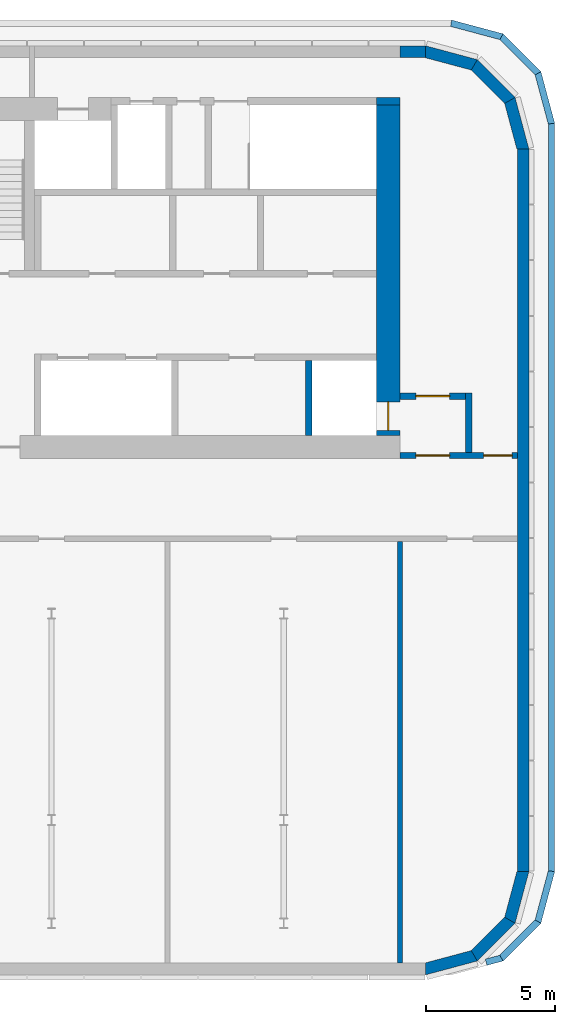
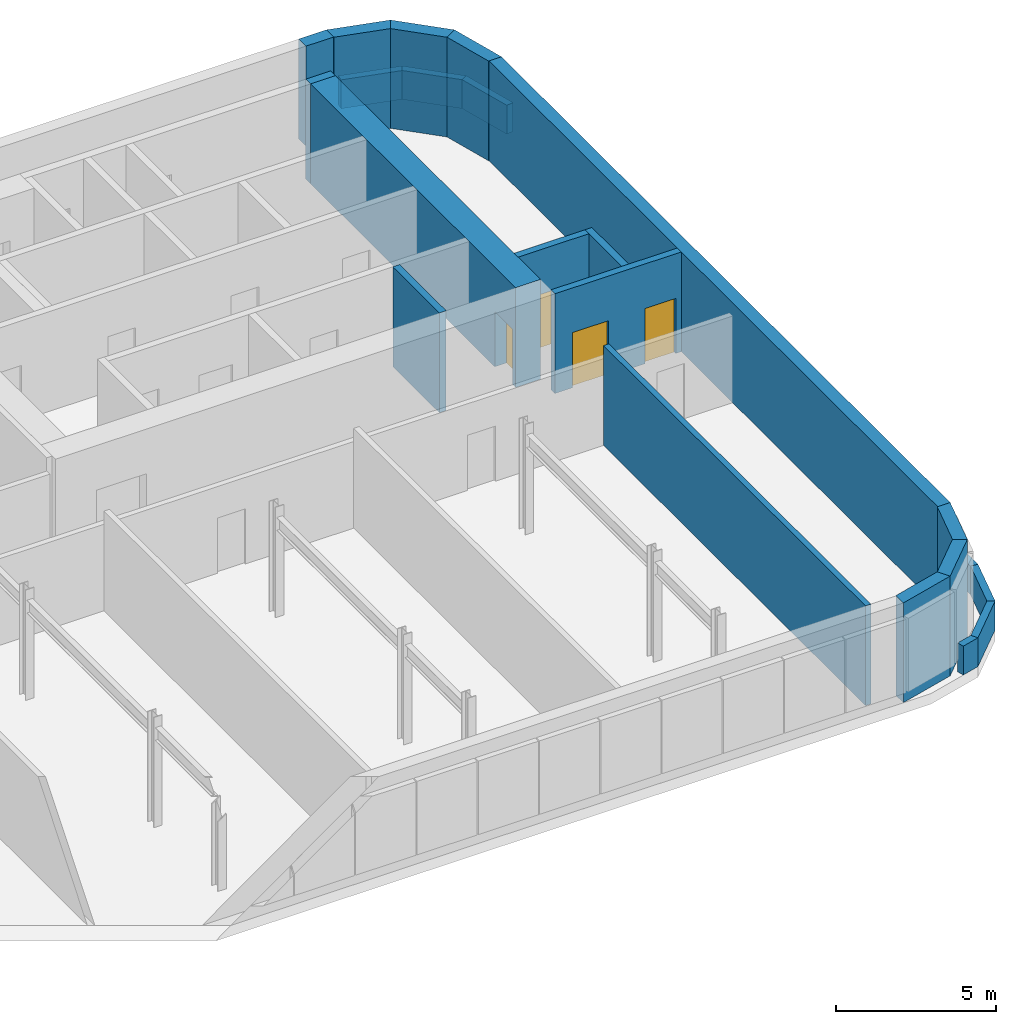
# One storey, part 7 of 10: 22 walls, 4 doors, 4 openings.
"""IFC4 building model written with IfcOpenShell, lengths in metres."""

from ifc_helpers import new_model, si_unit, direction, frame, frame_2d, origin, place, context, subcontext, project, spatial, polyline, rectangle, outline, extrude, material, layer, layer_set, type_object, element, fill, save


model = new_model("IFC4")

# Units and contexts
model_context = context("Model", 3, precision=1e-05, world=origin(), true_north=direction((0.0, 1.0)))
body_context = subcontext(model_context, "Body", "Model", "MODEL_VIEW")
ifc_project = project(units=[si_unit("LENGTHUNIT", "METRE"), si_unit("AREAUNIT", "SQUARE_METRE"), si_unit("VOLUMEUNIT", "CUBIC_METRE"), si_unit("PLANEANGLEUNIT", "RADIAN"), si_unit("MASSUNIT", "GRAM", prefix="KILO")], contexts=[model_context])

# Site, building, storey
site_placement = place(None, origin())
site = spatial("IfcSite", under=ifc_project, at=site_placement, CompositionType="ELEMENT")
building_placement = place(site_placement, origin())
building = spatial("IfcBuilding", under=site, at=building_placement, Name="Kajstack Hotel Tower", CompositionType="ELEMENT")
storey_placement = place(building_placement, frame((0.0, 0.0, 313.60009765625)))
storey = spatial("IfcBuildingStorey", under=building, at=storey_placement, Name="L79", CompositionType="ELEMENT", Elevation=313.60009765625)

# Wall
ifc_material_1 = material(Name="Concrete C60/75", Category="concrete")
ifc_layer_1 = layer(ifc_material_1, 0.89990234375)
ifc_layer_set_1 = layer_set([ifc_layer_1], Name="Core wall 900")
wall_type_1 = type_object("IfcWallType", Name="Core wall 900", PredefinedType="SHEAR", material=ifc_layer_set_1)
wall_1_placement = place(storey_placement, frame((30.60009765625, 15.35009765625, 0.0), z_axis=(0.0, 0.0, 1.0), x_axis=(1.0, 0.0, 0.0)))
element("IfcWall", 1, at=wall_1_placement, inside=storey, type_object=wall_type_1, Name="Core wall E RSW", PredefinedType="SHEAR", context=body_context, shape_type="SweptSolid", body=[
    extrude(rectangle(XDim=0.89990234375, YDim=0.300048828125, at=frame_2d((0.449951171875, 0.0))), origin(), (0.0, 0.0, 1.0), 3.7998046875),
])

# Wall, opening, door
wall_2_placement = place(storey_placement, frame((31.050048828125, 2.39990234375, 0.0), z_axis=(0.0, 0.0, 1.0), x_axis=(0.0, 1.0, 0.0)))
wall_2 = element("IfcWall", 2, at=wall_2_placement, inside=storey, type_object=wall_type_1, Name="Core wall E RW", PredefinedType="SHEAR", context=body_context, shape_type="SweptSolid", body=[
    extrude(rectangle(XDim=12.800048828125, YDim=0.89990234375, at=frame_2d((6.39990234375, 0.0))), origin(), (0.0, 0.0, 1.0), 3.7998046875),
])
opening_1_placement = place(wall_2_placement, frame((0.199951171875, 0.0, 0.0)))
opening_1 = element("IfcOpeningElement", 3, at=opening_1_placement, cuts=wall_2, Name="Opening LD-FF2", PredefinedType="OPENING", context=body_context, shape_type="SweptSolid", body=[
    extrude(rectangle(XDim=1.10009765625, YDim=2.10009765625, at=frame_2d((0.550048828125, 1.050048828125))), frame((0.0, 0.4599609375, 0.0), z_axis=(0.0, -1.0, 0.0), x_axis=(1.0, 0.0, 0.0)), (0.0, 0.0, 1.0), 0.919921875),
])
ifc_material_2 = material(Name="Stainless steel", Category="steel")
door_type_1 = type_object("IfcDoorType", Name="Fire-fighting lift landing door 1100", OperationType="SLIDING_TO_LEFT", PredefinedType="DOOR", material=ifc_material_2)
door_1_placement = place(opening_1_placement, origin())
door_1 = element("IfcDoor", 4, at=door_1_placement, inside=storey, type_object=door_type_1, Name="Landing door FF2", OperationType="SLIDING_TO_LEFT", OverallHeight=2.10009765625, OverallWidth=1.10009765625, PredefinedType="DOOR", context=body_context, shape_type="SweptSolid", body=[
    extrude(rectangle(XDim=1.10009765625, YDim=2.10009765625, at=frame_2d((0.550048828125, 1.050048828125))), frame((0.0, 0.02490234375, 0.0), z_axis=(0.0, -1.0, 0.0), x_axis=(1.0, 0.0, 0.0)), (0.0, 0.0, 1.0), 0.050048828125),
])
fill(opening_1, door_1)

# Walls
ifc_material_3 = material(Name="Zinc-clad block masonry", Category="masonry")
ifc_layer_2 = layer(ifc_material_3, 0.449951171875)
ifc_layer_set_2 = layer_set([ifc_layer_2], Name="EW-ZINC")
wall_type_2 = type_object("IfcWallType", Name="EW-ZINC", PredefinedType="SOLIDWALL", material=ifc_layer_set_2)
wall_3_placement = place(storey_placement, frame((32.441650390625, -18.28271484375, 0.0), z_axis=(0.0, 0.0, 1.0), x_axis=(0.965926999034, 0.25881466832, 0.0)))
element("IfcWall", 5, at=wall_3_placement, inside=storey, type_object=wall_type_2, Name="E-wall-L79-04-00", PredefinedType="SOLIDWALL", context=body_context, shape_type="SweptSolid", body=[
    extrude(outline(polyline([(0.000244140625, -0.22509765625), (2.070556640625, -0.224853515625), (1.9501953125, 0.22509765625), (0.12060546875, 0.22509765625), (0.000244140625, -0.22509765625)])), origin(), (0.0, 0.0, 1.0), 3.7998046875),
])
wall_4_placement = place(storey_placement, frame((34.3408203125, -17.804931640625, 0.0), z_axis=(0.0, 0.0, 1.0), x_axis=(0.707106781187, 0.707106781187, 0.0)))
element("IfcWall", 6, at=wall_4_placement, inside=storey, type_object=wall_type_2, Name="E-wall-L79-05-00", PredefinedType="SOLIDWALL", context=body_context, shape_type="SweptSolid", body=[
    extrude(outline(polyline([(0.0, -0.22509765625), (2.070556640625, -0.22509765625), (1.949951171875, 0.224853515625), (0.12060546875, 0.224853515625), (0.0, -0.22509765625)])), origin(), (0.0, 0.0, 1.0), 3.7998046875),
])
wall_5_placement = place(storey_placement, frame((35.746826171875, -16.441650390625, 0.0), z_axis=(0.0, 0.0, 1.0), x_axis=(0.25881466832, 0.965926999034, 0.0)))
element("IfcWall", 7, at=wall_5_placement, inside=storey, type_object=wall_type_2, Name="E-wall-L79-06-00", PredefinedType="SOLIDWALL", context=body_context, shape_type="SweptSolid", body=[
    extrude(outline(polyline([(-0.000244140625, -0.224853515625), (2.0703125, -0.22509765625), (1.949951171875, 0.22509765625), (0.120361328125, 0.22509765625), (-0.000244140625, -0.224853515625)])), origin(), (0.0, 0.0, 1.0), 3.7998046875),
])
wall_6_placement = place(storey_placement, frame((36.27490234375, -14.5, 0.0), z_axis=(0.0, 0.0, 1.0), x_axis=(0.0, 1.0, 0.0)))
element("IfcWall", 8, at=wall_6_placement, inside=storey, type_object=wall_type_2, Name="E-wall-L79-07-00", PredefinedType="SOLIDWALL", context=body_context, shape_type="SweptSolid", body=[
    extrude(rectangle(XDim=28.0, YDim=0.449951171875, at=frame_2d((14.0, 0.0))), origin(), (0.0, 0.0, 1.0), 3.7998046875),
])
wall_7_placement = place(storey_placement, frame((36.28271484375, 13.441650390625, 0.0), z_axis=(0.0, 0.0, 1.0), x_axis=(-0.25881466832, 0.965926999034, 0.0)))
element("IfcWall", 9, at=wall_7_placement, inside=storey, type_object=wall_type_2, Name="E-wall-L79-08-00", PredefinedType="SOLIDWALL", context=body_context, shape_type="SweptSolid", body=[
    extrude(outline(polyline([(0.000244140625, -0.22509765625), (2.070556640625, -0.224853515625), (1.9501953125, 0.22509765625), (0.12060546875, 0.22509765625), (0.000244140625, -0.22509765625)])), origin(), (0.0, 0.0, 1.0), 3.7998046875),
])
wall_8_placement = place(storey_placement, frame((35.804931640625, 15.3408203125, 0.0), z_axis=(0.0, 0.0, 1.0), x_axis=(-0.707106781187, 0.707106781187, 0.0)))
element("IfcWall", 10, at=wall_8_placement, inside=storey, type_object=wall_type_2, Name="E-wall-L79-09-00", PredefinedType="SOLIDWALL", context=body_context, shape_type="SweptSolid", body=[
    extrude(outline(polyline([(0.0, -0.22509765625), (2.070556640625, -0.22509765625), (1.949951171875, 0.224853515625), (0.12060546875, 0.224853515625), (0.0, -0.22509765625)])), origin(), (0.0, 0.0, 1.0), 3.7998046875),
])
wall_9_placement = place(storey_placement, frame((34.441650390625, 16.746826171875, 0.0), z_axis=(0.0, 0.0, 1.0), x_axis=(-0.965926999034, 0.25881466832, 0.0)))
element("IfcWall", 11, at=wall_9_placement, inside=storey, type_object=wall_type_2, Name="E-wall-L79-10-00", PredefinedType="SOLIDWALL", context=body_context, shape_type="SweptSolid", body=[
    extrude(outline(polyline([(-0.000244140625, -0.224853515625), (2.0703125, -0.22509765625), (1.949951171875, 0.22509765625), (0.120361328125, 0.22509765625), (-0.000244140625, -0.224853515625)])), origin(), (0.0, 0.0, 1.0), 3.7998046875),
])
wall_10_placement = place(storey_placement, frame((32.5, 17.27490234375, 0.0), z_axis=(0.0, 0.0, 1.0), x_axis=(-1.0, 0.0, 0.0)))
element("IfcWall", 12, at=wall_10_placement, inside=storey, type_object=wall_type_2, Name="E-wall-L79-11-00", PredefinedType="SOLIDWALL", context=body_context, shape_type="SweptSolid", body=[
    extrude(rectangle(XDim=1.0, YDim=0.449951171875, at=frame_2d((0.5, 0.0))), origin(), (0.0, 0.0, 1.0), 3.7998046875),
])
ifc_layer_3 = layer(ifc_material_3, 0.25)
ifc_layer_set_3 = layer_set([ifc_layer_3], Name="PARAPET-ZINC")
wall_type_3 = type_object("IfcWallType", Name="PARAPET-ZINC", PredefinedType="PARAPET", material=ifc_layer_set_3)
wall_11_placement = place(storey_placement, origin())
element("IfcWall", 13, at=wall_11_placement, inside=storey, type_object=wall_type_3, Name="Parapet L79-01-01-09", PredefinedType="PARAPET", context=body_context, shape_type="SweptSolid", body=[
    extrude(outline(polyline([(33.5, 18.5), (33.467041015625, 18.25), (35.37060546875, 17.739990234375), (35.5, 17.964111328125), (33.5, 18.5)])), origin(), (0.0, 0.0, 1.0), 1.099853515625),
])
wall_12_placement = place(storey_placement, origin())
element("IfcWall", 14, at=wall_12_placement, inside=storey, type_object=wall_type_3, Name="Parapet L79-01-01-10", PredefinedType="PARAPET", context=body_context, shape_type="SweptSolid", body=[
    extrude(outline(polyline([(35.5, 17.964111328125), (35.37060546875, 17.739990234375), (36.739990234375, 16.37060546875), (36.964111328125, 16.5), (35.5, 17.964111328125)])), origin(), (0.0, 0.0, 1.0), 1.099853515625),
])
wall_13_placement = place(storey_placement, origin())
element("IfcWall", 15, at=wall_13_placement, inside=storey, type_object=wall_type_3, Name="Parapet L79-01-01-11", PredefinedType="PARAPET", context=body_context, shape_type="SweptSolid", body=[
    extrude(outline(polyline([(36.964111328125, 16.5), (36.739990234375, 16.37060546875), (37.25, 14.467041015625), (37.5, 14.5), (36.964111328125, 16.5)])), origin(), (0.0, 0.0, 1.0), 1.099853515625),
])
wall_14_placement = place(storey_placement, origin())
element("IfcWall", 16, at=wall_14_placement, inside=storey, type_object=wall_type_3, Name="Parapet L79-01-01-12", PredefinedType="PARAPET", context=body_context, shape_type="SweptSolid", body=[
    extrude(outline(polyline([(37.5, 14.5), (37.25, 14.467041015625), (37.25, -14.467041015625), (37.5, -14.5), (37.5, 14.5)])), origin(), (0.0, 0.0, 1.0), 1.099853515625),
])
wall_15_placement = place(storey_placement, origin())
element("IfcWall", 17, at=wall_15_placement, inside=storey, type_object=wall_type_3, Name="Parapet L79-01-01-13", PredefinedType="PARAPET", context=body_context, shape_type="SweptSolid", body=[
    extrude(outline(polyline([(37.5, -14.5), (37.25, -14.467041015625), (36.739990234375, -16.37060546875), (36.964111328125, -16.5), (37.5, -14.5)])), origin(), (0.0, 0.0, 1.0), 1.099853515625),
])
wall_16_placement = place(storey_placement, origin())
element("IfcWall", 18, at=wall_16_placement, inside=storey, type_object=wall_type_3, Name="Parapet L79-01-01-14", PredefinedType="PARAPET", context=body_context, shape_type="SweptSolid", body=[
    extrude(outline(polyline([(36.964111328125, -16.5), (36.739990234375, -16.37060546875), (35.37060546875, -17.739990234375), (35.5, -17.964111328125), (36.964111328125, -16.5)])), origin(), (0.0, 0.0, 1.0), 1.099853515625),
])
wall_17_placement = place(storey_placement, origin())
element("IfcWall", 19, at=wall_17_placement, inside=storey, type_object=wall_type_3, Name="Parapet L79-01-01-15", PredefinedType="PARAPET", context=body_context, shape_type="SweptSolid", body=[
    extrude(outline(polyline([(35.5, -17.964111328125), (35.37060546875, -17.739990234375), (34.8095703125, -17.890380859375), (34.874267578125, -18.1318359375), (35.5, -17.964111328125)])), origin(), (0.0, 0.0, 1.0), 1.099853515625),
])
ifc_material_4 = material(Name="Gypsum board on steel studs, mineral wool", Category="steel")
ifc_layer_4 = layer(ifc_material_4, 0.199951171875)
ifc_layer_set_4 = layer_set([ifc_layer_4], Name="Public partition 200")
wall_type_4 = type_object("IfcWallType", Name="Public partition 200", PredefinedType="PARTITIONING", material=ifc_layer_set_4)
wall_18_placement = place(storey_placement, frame((31.5, -18.050048828125, 0.0), z_axis=(0.0, 0.0, 1.0), x_axis=(0.0, 1.0, 0.0)))
element("IfcWall", 20, at=wall_18_placement, inside=storey, type_object=wall_type_4, Name="Partition SPX3", PredefinedType="PARTITIONING", context=body_context, shape_type="SweptSolid", body=[
    extrude(rectangle(XDim=16.35009765625, YDim=0.199951171875, at=frame_2d((8.175048828125, 0.0))), origin(), (0.0, 0.0, 1.0), 3.7998046875),
])

# Wall, openings, doors
ifc_layer_5 = layer(ifc_material_4, 0.199951171875)
ifc_layer_set_5 = layer_set([ifc_layer_5], Name="Service partition 200")
wall_type_5 = type_object("IfcWallType", Name="Service partition 200", PredefinedType="PARTITIONING", material=ifc_layer_set_5)
wall_19_placement = place(storey_placement, frame((31.5, 1.625, 0.0), z_axis=(0.0, 0.0, 1.0), x_axis=(1.0, 0.0, 0.0)))
wall_19 = element("IfcWall", 21, at=wall_19_placement, inside=storey, type_object=wall_type_5, Name="Partition E SN", PredefinedType="PARTITIONING", context=body_context, shape_type="SweptSolid", body=[
    extrude(rectangle(XDim=4.550048828125, YDim=0.25, at=frame_2d((2.27490234375, 0.0))), origin(), (0.0, 0.0, 1.0), 3.7998046875),
])
opening_2_placement = place(wall_19_placement, frame((0.625, 0.0, 0.0)))
opening_2 = element("IfcOpeningElement", 22, at=opening_2_placement, cuts=wall_19, Name="Opening 79E07", PredefinedType="OPENING", context=body_context, shape_type="SweptSolid", body=[
    extrude(rectangle(XDim=1.300048828125, YDim=2.10009765625, at=frame_2d((0.64990234375, 1.050048828125))), frame((0.0, 0.135009765625, 0.0), z_axis=(0.0, -1.0, 0.0), x_axis=(1.0, 0.0, 0.0)), (0.0, 0.0, 1.0), 0.27001953125),
])
opening_3_placement = place(wall_19_placement, frame((3.25, 0.0, 0.0)))
opening_3 = element("IfcOpeningElement", 23, at=opening_3_placement, cuts=wall_19, Name="Opening 79E09", PredefinedType="OPENING", context=body_context, shape_type="SweptSolid", body=[
    extrude(rectangle(XDim=1.10009765625, YDim=2.10009765625, at=frame_2d((0.550048828125, 1.050048828125))), frame((0.0, 0.135009765625, 0.0), z_axis=(0.0, -1.0, 0.0), x_axis=(1.0, 0.0, 0.0)), (0.0, 0.0, 1.0), 0.27001953125),
])
ifc_material_5 = material(Name="Steel leaf, fire-rated", Category="steel")
door_type_2 = type_object("IfcDoorType", Name="Fire lobby door 1300", OperationType="SINGLE_SWING_LEFT", PredefinedType="DOOR", material=ifc_material_5)
door_2_placement = place(opening_2_placement, origin())
door_2 = element("IfcDoor", 24, at=door_2_placement, inside=storey, type_object=door_type_2, Name="Door 79E07", OperationType="SINGLE_SWING_LEFT", OverallHeight=2.10009765625, OverallWidth=1.300048828125, PredefinedType="DOOR", context=body_context, shape_type="SweptSolid", body=[
    extrude(rectangle(XDim=1.300048828125, YDim=2.10009765625, at=frame_2d((0.64990234375, 1.050048828125))), frame((0.0, 0.02490234375, 0.0), z_axis=(0.0, -1.0, 0.0), x_axis=(1.0, 0.0, 0.0)), (0.0, 0.0, 1.0), 0.050048828125),
])
fill(opening_2, door_2)
ifc_material_6 = material(Name="Timber leaf, fire-rated", Category="wood")
door_type_3 = type_object("IfcDoorType", Name="Service corridor door 1100", OperationType="SINGLE_SWING_LEFT", PredefinedType="DOOR", material=ifc_material_6)
door_3_placement = place(opening_3_placement, origin())
door_3 = element("IfcDoor", 25, at=door_3_placement, inside=storey, type_object=door_type_3, Name="Door 79E09", OperationType="SINGLE_SWING_LEFT", OverallHeight=2.10009765625, OverallWidth=1.10009765625, PredefinedType="DOOR", context=body_context, shape_type="SweptSolid", body=[
    extrude(rectangle(XDim=1.10009765625, YDim=2.10009765625, at=frame_2d((0.550048828125, 1.050048828125))), frame((0.0, 0.02490234375, 0.0), z_axis=(0.0, -1.0, 0.0), x_axis=(1.0, 0.0, 0.0)), (0.0, 0.0, 1.0), 0.050048828125),
])
fill(opening_3, door_3)

# Wall
ifc_material_7 = material(Name="Concrete C50/60", Category="concrete")
ifc_layer_6 = layer(ifc_material_7, 0.25)
ifc_layer_set_6 = layer_set([ifc_layer_6], Name="Shaft wall 250")
wall_type_6 = type_object("IfcWallType", Name="Shaft wall 250", PredefinedType="SHEAR", material=ifc_layer_set_6)
wall_20_placement = place(storey_placement, frame((27.97509765625, 2.39990234375, 0.0), z_axis=(0.0, 0.0, 1.0), x_axis=(0.0, 1.0, 0.0)))
element("IfcWall", 26, at=wall_20_placement, inside=storey, type_object=wall_type_6, Name="Core wall E AP0", PredefinedType="SHEAR", context=body_context, shape_type="SweptSolid", body=[
    extrude(rectangle(XDim=2.900146484375, YDim=0.25, at=frame_2d((1.4501953125, 0.0))), origin(), (0.0, 0.0, 1.0), 3.7998046875),
])

# Wall, opening, door
ifc_material_8 = material(Name="Concrete C40/50", Category="concrete")
ifc_layer_7 = layer(ifc_material_8, 0.25)
ifc_layer_set_7 = layer_set([ifc_layer_7], Name="Stair enclosure wall 250")
wall_type_7 = type_object("IfcWallType", Name="Stair enclosure wall 250", PredefinedType="SHEAR", material=ifc_layer_set_7)
wall_21_placement = place(storey_placement, frame((31.5, 3.925048828125, 0.0), z_axis=(0.0, 0.0, 1.0), x_axis=(1.0, 0.0, 0.0)))
wall_21 = element("IfcWall", 27, at=wall_21_placement, inside=storey, type_object=wall_type_7, Name="Core wall E W1N", PredefinedType="SHEAR", context=body_context, shape_type="SweptSolid", body=[
    extrude(rectangle(XDim=2.550048828125, YDim=0.25, at=frame_2d((1.27490234375, 0.0))), origin(), (0.0, 0.0, 1.0), 3.7998046875),
])
opening_4_placement = place(wall_21_placement, frame((0.625, 0.0, 0.0)))
opening_4 = element("IfcOpeningElement", 28, at=opening_4_placement, cuts=wall_21, Name="Opening 79E08", PredefinedType="OPENING", context=body_context, shape_type="SweptSolid", body=[
    extrude(rectangle(XDim=1.300048828125, YDim=2.10009765625, at=frame_2d((0.64990234375, 1.050048828125))), frame((0.0, 0.135009765625, 0.0), z_axis=(0.0, -1.0, 0.0), x_axis=(1.0, 0.0, 0.0)), (0.0, 0.0, 1.0), 0.27001953125),
])
door_4_placement = place(opening_4_placement, origin())
door_4 = element("IfcDoor", 29, at=door_4_placement, inside=storey, type_object=door_type_2, Name="Door 79E08", OperationType="SINGLE_SWING_LEFT", OverallHeight=2.10009765625, OverallWidth=1.300048828125, PredefinedType="DOOR", context=body_context, shape_type="SweptSolid", body=[
    extrude(rectangle(XDim=1.300048828125, YDim=2.10009765625, at=frame_2d((0.64990234375, 1.050048828125))), frame((0.0, 0.02490234375, 0.0), z_axis=(0.0, -1.0, 0.0), x_axis=(1.0, 0.0, 0.0)), (0.0, 0.0, 1.0), 0.050048828125),
])
fill(opening_4, door_4)

# Wall
wall_22_placement = place(storey_placement, frame((34.175048828125, 1.75, 0.0), z_axis=(0.0, 0.0, 1.0), x_axis=(0.0, 1.0, 0.0)))
element("IfcWall", 30, at=wall_22_placement, inside=storey, type_object=wall_type_7, Name="Core wall E W1W", PredefinedType="SHEAR", context=body_context, shape_type="SweptSolid", body=[
    extrude(rectangle(XDim=2.300048828125, YDim=0.25, at=frame_2d((1.14990234375, 0.0))), origin(), (0.0, 0.0, 1.0), 3.7998046875),
])

save(model, "model.ifc")
